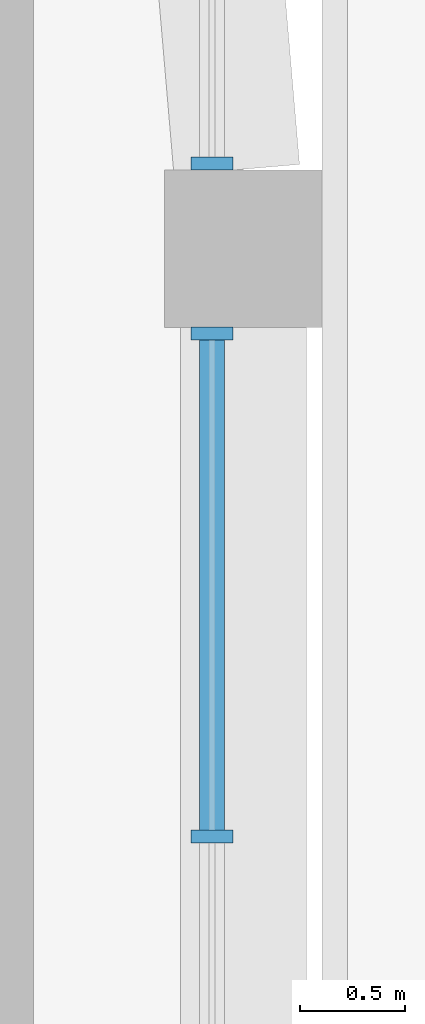
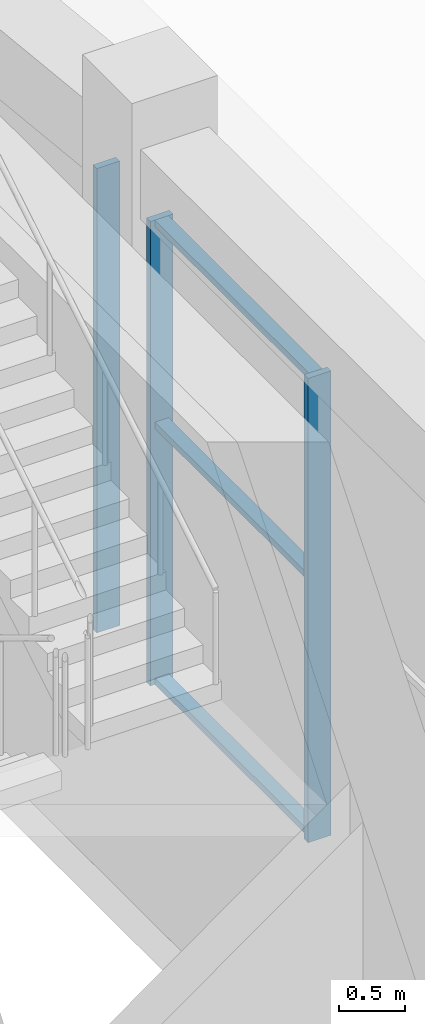
# One storey, part 8 of 24: 6 members, 2 elements without a shape of their own.
"""IFC4 building model written with IfcOpenShell, lengths in metres."""

from ifc_helpers import new_model, si_unit, direction, frame, origin, origin_2d, place, context, subcontext, project, spatial, rectangle, extrude, material, layer, layer_set, material_profile, profile_set, type_object, element, aggregate, save


model = new_model("IFC4")

# Units and contexts
model_context = context("Model", 3, precision=1e-05, world=origin(), true_north=direction((0.0, 1.0)))
body_context = subcontext(model_context, "Body", "Model", "MODEL_VIEW")
ifc_project = project(units=[si_unit("LENGTHUNIT", "METRE"), si_unit("AREAUNIT", "SQUARE_METRE"), si_unit("VOLUMEUNIT", "CUBIC_METRE"), si_unit("PLANEANGLEUNIT", "RADIAN"), si_unit("MASSUNIT", "GRAM", prefix="KILO")], contexts=[model_context])

# Site, building, storey
site_placement = place(None, origin())
site = spatial("IfcSite", under=ifc_project, at=site_placement, CompositionType="ELEMENT")
building_placement = place(site_placement, origin())
building = spatial("IfcBuilding", under=site, at=building_placement, Name="Kiln Ring Residences", CompositionType="ELEMENT")
storey_placement = place(building_placement, frame((0.0, 0.0, 283.699951171875)))
storey = spatial("IfcBuildingStorey", under=building, at=storey_placement, Name="L74", CompositionType="ELEMENT", Elevation=283.699951171875)

# Curtain wall, members
ifc_material_1 = material(Name="Aluminium and glass", Category="aluminium")
ifc_layer = layer(ifc_material_1, 0.199951171875)
ifc_layer_set = layer_set([ifc_layer], Name="CW1 CURTAIN WALL")
curtain_wall_type = type_object("IfcCurtainWallType", Name="CW1 CURTAIN WALL", PredefinedType="NOTDEFINED", material=ifc_layer_set)
placement = place(storey_placement, origin())
curtain_wall_1 = element("IfcCurtainWall", 1, at=placement, inside=storey, type_object=curtain_wall_type, Name="Curtain wall CW1 L74", PredefinedType="NOTDEFINED")
ifc_material_2 = material(Name="Aluminium 6063-T6", Category="aluminium")
ifc_material_profile_1 = material_profile(ifc_material_2, rectangle(XDim=0.199951171875, YDim=0.06005859375, at=origin_2d()), Name="AL 200x60")
ifc_profile_set_1 = profile_set([ifc_material_profile_1], Name="Aluminium 6063-T6")
member_type_1 = type_object("IfcMemberType", Name="CW1 MULLION 200 x 60", PredefinedType="MULLION", material=ifc_profile_set_1)
member_1_placement = place(storey_placement, frame((25.050048828125, 5.60009765625, 0.0), z_axis=(0.0, 0.0, 1.0), x_axis=(-1.0, 0.0, 0.0)))
member_1 = element("IfcMember", 2, at=member_1_placement, type_object=member_type_1, Name="CW1 mullion 2", PredefinedType="MULLION", context=body_context, shape_type="SweptSolid", body=[
    extrude(rectangle(XDim=0.199951171875, YDim=0.06005859375, at=origin_2d()), origin(), (0.0, 0.0, 1.0), 4.300048828125),
])
member_2_placement = place(storey_placement, frame((25.050048828125, 7.9951171875, 0.0), z_axis=(0.0, 0.0, 1.0), x_axis=(-1.0, 0.0, 0.0)))
member_2 = element("IfcMember", 3, at=member_2_placement, type_object=member_type_1, Name="CW1 mullion 3", PredefinedType="MULLION", context=body_context, shape_type="SweptSolid", body=[
    extrude(rectangle(XDim=0.199951171875, YDim=0.06005859375, at=origin_2d()), origin(), (0.0, 0.0, 1.0), 4.300048828125),
])

# Curtain wall, member
curtain_wall_2 = element("IfcCurtainWall", 4, at=placement, inside=storey, type_object=curtain_wall_type, Name="Curtain wall CW1 L74", PredefinedType="NOTDEFINED")
member_3_placement = place(storey_placement, frame((25.050048828125, 8.804931640625, 0.0), z_axis=(0.0, 0.0, 1.0), x_axis=(-1.0, 0.0, 0.0)))
member_3 = element("IfcMember", 5, at=member_3_placement, type_object=member_type_1, Name="CW1 mullion 1", PredefinedType="MULLION", context=body_context, shape_type="SweptSolid", body=[
    extrude(rectangle(XDim=0.199951171875, YDim=0.06005859375, at=origin_2d()), origin(), (0.0, 0.0, 1.0), 4.300048828125),
])
aggregate(curtain_wall_2, [member_3])

# Member
ifc_material_3 = material(Name="Aluminium 6063-T6", Category="aluminium")
ifc_material_profile_2 = material_profile(ifc_material_3, rectangle(XDim=0.1201171875, YDim=0.06005859375, at=origin_2d()), Name="AL 120x60")
ifc_profile_set_2 = profile_set([ifc_material_profile_2], Name="Aluminium 6063-T6")
member_type_2 = type_object("IfcMemberType", Name="CW1 TRANSOM 120 x 60", PredefinedType="USERDEFINED", material=ifc_profile_set_2)
member_4_placement = place(storey_placement, frame((25.050048828125, 5.6298828125, 0.030029296875), z_axis=(0.0, 1.0, 0.0), x_axis=(-1.0, 0.0, 0.0)))
member_4 = element("IfcMember", 6, at=member_4_placement, type_object=member_type_2, Name="CW1 transom 2.1", ObjectType="TRANSOM", PredefinedType="USERDEFINED", context=body_context, shape_type="SweptSolid", body=[
    extrude(rectangle(XDim=0.1201171875, YDim=0.06005859375, at=origin_2d()), origin(), (0.0, 0.0, 1.0), 2.335205078125),
])

member_5_placement = place(storey_placement, frame((25.050048828125, 5.6298828125, 2.400146484375), z_axis=(0.0, 1.0, 0.0), x_axis=(-1.0, 0.0, 0.0)))
member_5 = element("IfcMember", 7, at=member_5_placement, type_object=member_type_2, Name="CW1 transom 2.2", ObjectType="TRANSOM", PredefinedType="USERDEFINED", context=body_context, shape_type="SweptSolid", body=[
    extrude(rectangle(XDim=0.1201171875, YDim=0.06005859375, at=origin_2d()), origin(), (0.0, 0.0, 1.0), 2.335205078125),
])

member_6_placement = place(storey_placement, frame((25.050048828125, 5.6298828125, 4.27001953125), z_axis=(0.0, 1.0, 0.0), x_axis=(-1.0, 0.0, 0.0)))
member_6 = element("IfcMember", 8, at=member_6_placement, type_object=member_type_2, Name="CW1 transom 2.3", ObjectType="TRANSOM", PredefinedType="USERDEFINED", context=body_context, shape_type="SweptSolid", body=[
    extrude(rectangle(XDim=0.1201171875, YDim=0.06005859375, at=origin_2d()), origin(), (0.0, 0.0, 1.0), 2.335205078125),
])

aggregate(curtain_wall_1, [member_1, member_2, member_4, member_5, member_6])

save(model, "model.ifc")
